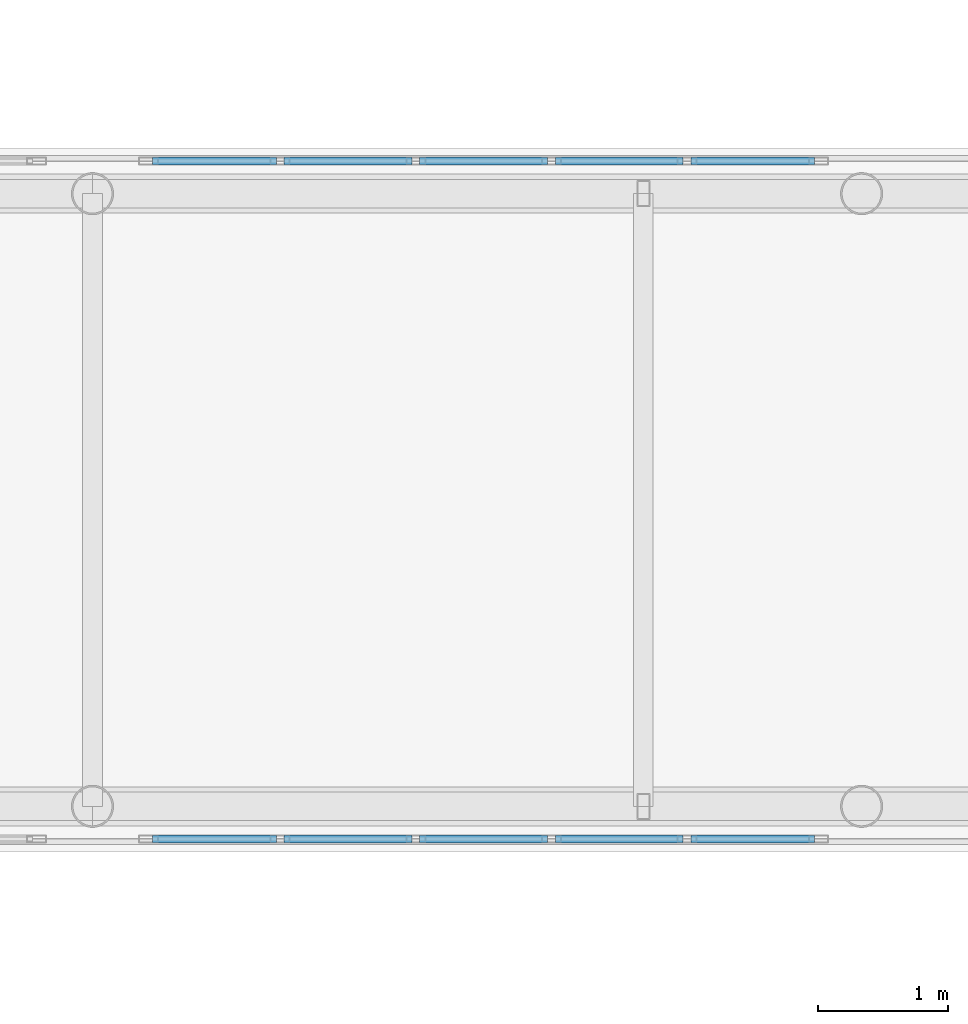
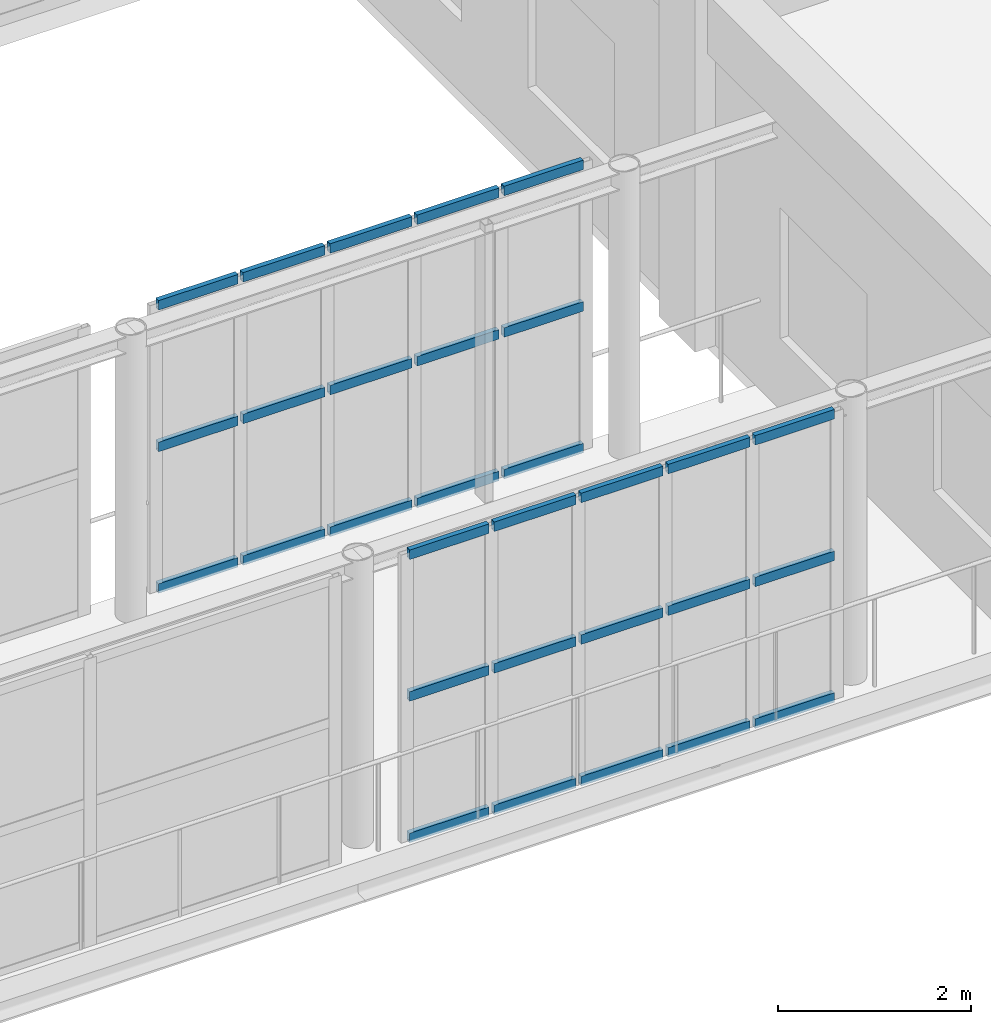
# One storey, part 125 of 167: 30 members, 2 elements without a shape of their own.
"""IFC4 building model written with IfcOpenShell, lengths in metres."""

from ifc_helpers import new_model, si_unit, direction, frame, origin, origin_2d, place, context, subcontext, project, spatial, hollow_rectangle, extrude, material, layer, layer_set, material_profile, profile_set, type_object, element, aggregate, save


model = new_model("IFC4")

# Units and contexts
model_context = context("Model", 3, precision=1e-05, world=origin(), true_north=direction((0.0, 1.0)))
body_context = subcontext(model_context, "Body", "Model", "MODEL_VIEW")
ifc_project = project(units=[si_unit("LENGTHUNIT", "METRE"), si_unit("AREAUNIT", "SQUARE_METRE"), si_unit("VOLUMEUNIT", "CUBIC_METRE"), si_unit("PLANEANGLEUNIT", "RADIAN"), si_unit("MASSUNIT", "GRAM", prefix="KILO")], contexts=[model_context])

# Site, building, storey
site_placement = place(None, origin())
site = spatial("IfcSite", under=ifc_project, at=site_placement, CompositionType="ELEMENT")
building_placement = place(site_placement, origin())
building = spatial("IfcBuilding", under=site, at=building_placement, Name="Zizhar Promenade General Hospital", CompositionType="ELEMENT")
storey_placement = place(building_placement, frame((0.0, 0.0, 9.60009765625)))
storey = spatial("IfcBuildingStorey", under=building, at=storey_placement, Name="L02", CompositionType="ELEMENT", Elevation=9.60009765625)

# Curtain wall, members
ifc_material_1 = material(Name="Anodised aluminium 6063-T6 and low-E glass", Category="aluminium")
ifc_layer = layer(ifc_material_1, 0.159912109375)
ifc_layer_set = layer_set([ifc_layer], Name="Anodised aluminium 6063-T6 and low-E glass")
curtain_wall_type = type_object("IfcCurtainWallType", Name="CW-SKY-GLZ", PredefinedType="NOTDEFINED", material=ifc_layer_set)
curtain_wall_1_placement = place(storey_placement, origin())
curtain_wall_1 = element("IfcCurtainWall", 1, at=curtain_wall_1_placement, inside=storey, type_object=curtain_wall_type, Name="Courtyard Surgical-Clinic Skybridge Level L02 South Glazing 4", PredefinedType="NOTDEFINED")
ifc_material_2 = material(Name="Anodised aluminium 6063-T6", Category="aluminium")
ifc_material_profile = material_profile(ifc_material_2, hollow_rectangle(XDim=0.06005859375, YDim=0.1201171875, WallThickness=0.00390625, at=origin_2d()))
ifc_profile_set = profile_set([ifc_material_profile], Name="Anodised aluminium 6063-T6")
member_type = type_object("IfcMemberType", Name="CWT-ALU-120x60", PredefinedType="USERDEFINED", material=ifc_profile_set)
member_1_placement = place(storey_placement, frame((122.5400390625, 77.5, 0.02978515625), z_axis=(-1.0, 0.0, 0.0), x_axis=(0.0, -1.0, 0.0)))
member_1 = element("IfcMember", 2, at=member_1_placement, type_object=member_type, Name="CW-15 transom 1.1", ObjectType="TRANSOM", PredefinedType="USERDEFINED", context=body_context, shape_type="SweptSolid", body=[
    extrude(hollow_rectangle(XDim=0.06005859375, YDim=0.1201171875, WallThickness=0.00390625, at=origin_2d()), origin(), (0.0, 0.0, 1.0), 0.949951171875),
])
member_2_placement = place(storey_placement, frame((122.5400390625, 77.5, 1.81982421875), z_axis=(-1.0, 0.0, 0.0), x_axis=(0.0, -1.0, 0.0)))
member_2 = element("IfcMember", 3, at=member_2_placement, type_object=member_type, Name="CW-15 transom 1.2", ObjectType="TRANSOM", PredefinedType="USERDEFINED", context=body_context, shape_type="SweptSolid", body=[
    extrude(hollow_rectangle(XDim=0.06005859375, YDim=0.1201171875, WallThickness=0.00390625, at=origin_2d()), origin(), (0.0, 0.0, 1.0), 0.949951171875),
])
member_3_placement = place(storey_placement, frame((122.5400390625, 77.5, 3.60986328125), z_axis=(-1.0, 0.0, 0.0), x_axis=(0.0, -1.0, 0.0)))
member_3 = element("IfcMember", 4, at=member_3_placement, type_object=member_type, Name="CW-15 transom 1.3", ObjectType="TRANSOM", PredefinedType="USERDEFINED", context=body_context, shape_type="SweptSolid", body=[
    extrude(hollow_rectangle(XDim=0.06005859375, YDim=0.1201171875, WallThickness=0.00390625, at=origin_2d()), origin(), (0.0, 0.0, 1.0), 0.949951171875),
])
member_4_placement = place(storey_placement, frame((121.530029296875, 77.5, 0.02978515625), z_axis=(-1.0, 0.0, 0.0), x_axis=(0.0, -1.0, 0.0)))
member_4 = element("IfcMember", 5, at=member_4_placement, type_object=member_type, Name="CW-15 transom 2.1", ObjectType="TRANSOM", PredefinedType="USERDEFINED", context=body_context, shape_type="SweptSolid", body=[
    extrude(hollow_rectangle(XDim=0.06005859375, YDim=0.1201171875, WallThickness=0.00390625, at=origin_2d()), origin(), (0.0, 0.0, 1.0), 0.97998046875),
])
member_5_placement = place(storey_placement, frame((121.530029296875, 77.5, 1.81982421875), z_axis=(-1.0, 0.0, 0.0), x_axis=(0.0, -1.0, 0.0)))
member_5 = element("IfcMember", 6, at=member_5_placement, type_object=member_type, Name="CW-15 transom 2.2", ObjectType="TRANSOM", PredefinedType="USERDEFINED", context=body_context, shape_type="SweptSolid", body=[
    extrude(hollow_rectangle(XDim=0.06005859375, YDim=0.1201171875, WallThickness=0.00390625, at=origin_2d()), origin(), (0.0, 0.0, 1.0), 0.97998046875),
])
member_6_placement = place(storey_placement, frame((121.530029296875, 77.5, 3.60986328125), z_axis=(-1.0, 0.0, 0.0), x_axis=(0.0, -1.0, 0.0)))
member_6 = element("IfcMember", 7, at=member_6_placement, type_object=member_type, Name="CW-15 transom 2.3", ObjectType="TRANSOM", PredefinedType="USERDEFINED", context=body_context, shape_type="SweptSolid", body=[
    extrude(hollow_rectangle(XDim=0.06005859375, YDim=0.1201171875, WallThickness=0.00390625, at=origin_2d()), origin(), (0.0, 0.0, 1.0), 0.97998046875),
])
member_7_placement = place(storey_placement, frame((120.489990234375, 77.5, 0.02978515625), z_axis=(-1.0, 0.0, 0.0), x_axis=(0.0, -1.0, 0.0)))
member_7 = element("IfcMember", 8, at=member_7_placement, type_object=member_type, Name="CW-15 transom 3.1", ObjectType="TRANSOM", PredefinedType="USERDEFINED", context=body_context, shape_type="SweptSolid", body=[
    extrude(hollow_rectangle(XDim=0.06005859375, YDim=0.1201171875, WallThickness=0.00390625, at=origin_2d()), origin(), (0.0, 0.0, 1.0), 0.97998046875),
])
member_8_placement = place(storey_placement, frame((120.489990234375, 77.5, 1.81982421875), z_axis=(-1.0, 0.0, 0.0), x_axis=(0.0, -1.0, 0.0)))
member_8 = element("IfcMember", 9, at=member_8_placement, type_object=member_type, Name="CW-15 transom 3.2", ObjectType="TRANSOM", PredefinedType="USERDEFINED", context=body_context, shape_type="SweptSolid", body=[
    extrude(hollow_rectangle(XDim=0.06005859375, YDim=0.1201171875, WallThickness=0.00390625, at=origin_2d()), origin(), (0.0, 0.0, 1.0), 0.97998046875),
])
member_9_placement = place(storey_placement, frame((120.489990234375, 77.5, 3.60986328125), z_axis=(-1.0, 0.0, 0.0), x_axis=(0.0, -1.0, 0.0)))
member_9 = element("IfcMember", 10, at=member_9_placement, type_object=member_type, Name="CW-15 transom 3.3", ObjectType="TRANSOM", PredefinedType="USERDEFINED", context=body_context, shape_type="SweptSolid", body=[
    extrude(hollow_rectangle(XDim=0.06005859375, YDim=0.1201171875, WallThickness=0.00390625, at=origin_2d()), origin(), (0.0, 0.0, 1.0), 0.97998046875),
])
member_10_placement = place(storey_placement, frame((119.449951171875, 77.5, 0.02978515625), z_axis=(-1.0, 0.0, 0.0), x_axis=(0.0, -1.0, 0.0)))
member_10 = element("IfcMember", 11, at=member_10_placement, type_object=member_type, Name="CW-15 transom 4.1", ObjectType="TRANSOM", PredefinedType="USERDEFINED", context=body_context, shape_type="SweptSolid", body=[
    extrude(hollow_rectangle(XDim=0.06005859375, YDim=0.1201171875, WallThickness=0.00390625, at=origin_2d()), origin(), (0.0, 0.0, 1.0), 0.97998046875),
])
member_11_placement = place(storey_placement, frame((119.449951171875, 77.5, 1.81982421875), z_axis=(-1.0, 0.0, 0.0), x_axis=(0.0, -1.0, 0.0)))
member_11 = element("IfcMember", 12, at=member_11_placement, type_object=member_type, Name="CW-15 transom 4.2", ObjectType="TRANSOM", PredefinedType="USERDEFINED", context=body_context, shape_type="SweptSolid", body=[
    extrude(hollow_rectangle(XDim=0.06005859375, YDim=0.1201171875, WallThickness=0.00390625, at=origin_2d()), origin(), (0.0, 0.0, 1.0), 0.97998046875),
])
member_12_placement = place(storey_placement, frame((119.449951171875, 77.5, 3.60986328125), z_axis=(-1.0, 0.0, 0.0), x_axis=(0.0, -1.0, 0.0)))
member_12 = element("IfcMember", 13, at=member_12_placement, type_object=member_type, Name="CW-15 transom 4.3", ObjectType="TRANSOM", PredefinedType="USERDEFINED", context=body_context, shape_type="SweptSolid", body=[
    extrude(hollow_rectangle(XDim=0.06005859375, YDim=0.1201171875, WallThickness=0.00390625, at=origin_2d()), origin(), (0.0, 0.0, 1.0), 0.97998046875),
])
member_13_placement = place(storey_placement, frame((118.409912109375, 77.5, 0.02978515625), z_axis=(-1.0, 0.0, 0.0), x_axis=(0.0, -1.0, 0.0)))
member_13 = element("IfcMember", 14, at=member_13_placement, type_object=member_type, Name="CW-15 transom 5.1", ObjectType="TRANSOM", PredefinedType="USERDEFINED", context=body_context, shape_type="SweptSolid", body=[
    extrude(hollow_rectangle(XDim=0.06005859375, YDim=0.1201171875, WallThickness=0.00390625, at=origin_2d()), origin(), (0.0, 0.0, 1.0), 0.949951171875),
])
member_14_placement = place(storey_placement, frame((118.409912109375, 77.5, 1.81982421875), z_axis=(-1.0, 0.0, 0.0), x_axis=(0.0, -1.0, 0.0)))
member_14 = element("IfcMember", 15, at=member_14_placement, type_object=member_type, Name="CW-15 transom 5.2", ObjectType="TRANSOM", PredefinedType="USERDEFINED", context=body_context, shape_type="SweptSolid", body=[
    extrude(hollow_rectangle(XDim=0.06005859375, YDim=0.1201171875, WallThickness=0.00390625, at=origin_2d()), origin(), (0.0, 0.0, 1.0), 0.949951171875),
])
member_15_placement = place(storey_placement, frame((118.409912109375, 77.5, 3.60986328125), z_axis=(-1.0, 0.0, 0.0), x_axis=(0.0, -1.0, 0.0)))
member_15 = element("IfcMember", 16, at=member_15_placement, type_object=member_type, Name="CW-15 transom 5.3", ObjectType="TRANSOM", PredefinedType="USERDEFINED", context=body_context, shape_type="SweptSolid", body=[
    extrude(hollow_rectangle(XDim=0.06005859375, YDim=0.1201171875, WallThickness=0.00390625, at=origin_2d()), origin(), (0.0, 0.0, 1.0), 0.949951171875),
])
aggregate(curtain_wall_1, [member_1, member_2, member_3, member_4, member_5, member_6, member_7, member_8, member_9, member_10, member_11, member_12, member_13, member_14, member_15])

curtain_wall_2_placement = place(storey_placement, origin())
curtain_wall_2 = element("IfcCurtainWall", 17, at=curtain_wall_2_placement, inside=storey, type_object=curtain_wall_type, Name="Courtyard Surgical-Clinic Skybridge Level L02 North Glazing 4", PredefinedType="NOTDEFINED")
member_16_placement = place(storey_placement, frame((117.4599609375, 82.699951171875, 0.02978515625), z_axis=(1.0, 0.0, 0.0), x_axis=(0.0, 1.0, 0.0)))
member_16 = element("IfcMember", 18, at=member_16_placement, type_object=member_type, Name="CW-15 transom 1.1", ObjectType="TRANSOM", PredefinedType="USERDEFINED", context=body_context, shape_type="SweptSolid", body=[
    extrude(hollow_rectangle(XDim=0.06005859375, YDim=0.1201171875, WallThickness=0.00390625, at=origin_2d()), origin(), (0.0, 0.0, 1.0), 0.949951171875),
])
member_17_placement = place(storey_placement, frame((117.4599609375, 82.699951171875, 1.81982421875), z_axis=(1.0, 0.0, 0.0), x_axis=(0.0, 1.0, 0.0)))
member_17 = element("IfcMember", 19, at=member_17_placement, type_object=member_type, Name="CW-15 transom 1.2", ObjectType="TRANSOM", PredefinedType="USERDEFINED", context=body_context, shape_type="SweptSolid", body=[
    extrude(hollow_rectangle(XDim=0.06005859375, YDim=0.1201171875, WallThickness=0.00390625, at=origin_2d()), origin(), (0.0, 0.0, 1.0), 0.949951171875),
])
member_18_placement = place(storey_placement, frame((117.4599609375, 82.699951171875, 3.60986328125), z_axis=(1.0, 0.0, 0.0), x_axis=(0.0, 1.0, 0.0)))
member_18 = element("IfcMember", 20, at=member_18_placement, type_object=member_type, Name="CW-15 transom 1.3", ObjectType="TRANSOM", PredefinedType="USERDEFINED", context=body_context, shape_type="SweptSolid", body=[
    extrude(hollow_rectangle(XDim=0.06005859375, YDim=0.1201171875, WallThickness=0.00390625, at=origin_2d()), origin(), (0.0, 0.0, 1.0), 0.949951171875),
])
member_19_placement = place(storey_placement, frame((118.469970703125, 82.699951171875, 0.02978515625), z_axis=(1.0, 0.0, 0.0), x_axis=(0.0, 1.0, 0.0)))
member_19 = element("IfcMember", 21, at=member_19_placement, type_object=member_type, Name="CW-15 transom 2.1", ObjectType="TRANSOM", PredefinedType="USERDEFINED", context=body_context, shape_type="SweptSolid", body=[
    extrude(hollow_rectangle(XDim=0.06005859375, YDim=0.1201171875, WallThickness=0.00390625, at=origin_2d()), origin(), (0.0, 0.0, 1.0), 0.97998046875),
])
member_20_placement = place(storey_placement, frame((118.469970703125, 82.699951171875, 1.81982421875), z_axis=(1.0, 0.0, 0.0), x_axis=(0.0, 1.0, 0.0)))
member_20 = element("IfcMember", 22, at=member_20_placement, type_object=member_type, Name="CW-15 transom 2.2", ObjectType="TRANSOM", PredefinedType="USERDEFINED", context=body_context, shape_type="SweptSolid", body=[
    extrude(hollow_rectangle(XDim=0.06005859375, YDim=0.1201171875, WallThickness=0.00390625, at=origin_2d()), origin(), (0.0, 0.0, 1.0), 0.97998046875),
])
member_21_placement = place(storey_placement, frame((118.469970703125, 82.699951171875, 3.60986328125), z_axis=(1.0, 0.0, 0.0), x_axis=(0.0, 1.0, 0.0)))
member_21 = element("IfcMember", 23, at=member_21_placement, type_object=member_type, Name="CW-15 transom 2.3", ObjectType="TRANSOM", PredefinedType="USERDEFINED", context=body_context, shape_type="SweptSolid", body=[
    extrude(hollow_rectangle(XDim=0.06005859375, YDim=0.1201171875, WallThickness=0.00390625, at=origin_2d()), origin(), (0.0, 0.0, 1.0), 0.97998046875),
])
member_22_placement = place(storey_placement, frame((119.510009765625, 82.699951171875, 0.02978515625), z_axis=(1.0, 0.0, 0.0), x_axis=(0.0, 1.0, 0.0)))
member_22 = element("IfcMember", 24, at=member_22_placement, type_object=member_type, Name="CW-15 transom 3.1", ObjectType="TRANSOM", PredefinedType="USERDEFINED", context=body_context, shape_type="SweptSolid", body=[
    extrude(hollow_rectangle(XDim=0.06005859375, YDim=0.1201171875, WallThickness=0.00390625, at=origin_2d()), origin(), (0.0, 0.0, 1.0), 0.97998046875),
])
member_23_placement = place(storey_placement, frame((119.510009765625, 82.699951171875, 1.81982421875), z_axis=(1.0, 0.0, 0.0), x_axis=(0.0, 1.0, 0.0)))
member_23 = element("IfcMember", 25, at=member_23_placement, type_object=member_type, Name="CW-15 transom 3.2", ObjectType="TRANSOM", PredefinedType="USERDEFINED", context=body_context, shape_type="SweptSolid", body=[
    extrude(hollow_rectangle(XDim=0.06005859375, YDim=0.1201171875, WallThickness=0.00390625, at=origin_2d()), origin(), (0.0, 0.0, 1.0), 0.97998046875),
])
member_24_placement = place(storey_placement, frame((119.510009765625, 82.699951171875, 3.60986328125), z_axis=(1.0, 0.0, 0.0), x_axis=(0.0, 1.0, 0.0)))
member_24 = element("IfcMember", 26, at=member_24_placement, type_object=member_type, Name="CW-15 transom 3.3", ObjectType="TRANSOM", PredefinedType="USERDEFINED", context=body_context, shape_type="SweptSolid", body=[
    extrude(hollow_rectangle(XDim=0.06005859375, YDim=0.1201171875, WallThickness=0.00390625, at=origin_2d()), origin(), (0.0, 0.0, 1.0), 0.97998046875),
])
member_25_placement = place(storey_placement, frame((120.550048828125, 82.699951171875, 0.02978515625), z_axis=(1.0, 0.0, 0.0), x_axis=(0.0, 1.0, 0.0)))
member_25 = element("IfcMember", 27, at=member_25_placement, type_object=member_type, Name="CW-15 transom 4.1", ObjectType="TRANSOM", PredefinedType="USERDEFINED", context=body_context, shape_type="SweptSolid", body=[
    extrude(hollow_rectangle(XDim=0.06005859375, YDim=0.1201171875, WallThickness=0.00390625, at=origin_2d()), origin(), (0.0, 0.0, 1.0), 0.97998046875),
])
member_26_placement = place(storey_placement, frame((120.550048828125, 82.699951171875, 1.81982421875), z_axis=(1.0, 0.0, 0.0), x_axis=(0.0, 1.0, 0.0)))
member_26 = element("IfcMember", 28, at=member_26_placement, type_object=member_type, Name="CW-15 transom 4.2", ObjectType="TRANSOM", PredefinedType="USERDEFINED", context=body_context, shape_type="SweptSolid", body=[
    extrude(hollow_rectangle(XDim=0.06005859375, YDim=0.1201171875, WallThickness=0.00390625, at=origin_2d()), origin(), (0.0, 0.0, 1.0), 0.97998046875),
])
member_27_placement = place(storey_placement, frame((120.550048828125, 82.699951171875, 3.60986328125), z_axis=(1.0, 0.0, 0.0), x_axis=(0.0, 1.0, 0.0)))
member_27 = element("IfcMember", 29, at=member_27_placement, type_object=member_type, Name="CW-15 transom 4.3", ObjectType="TRANSOM", PredefinedType="USERDEFINED", context=body_context, shape_type="SweptSolid", body=[
    extrude(hollow_rectangle(XDim=0.06005859375, YDim=0.1201171875, WallThickness=0.00390625, at=origin_2d()), origin(), (0.0, 0.0, 1.0), 0.97998046875),
])
member_28_placement = place(storey_placement, frame((121.590087890625, 82.699951171875, 0.02978515625), z_axis=(1.0, 0.0, 0.0), x_axis=(0.0, 1.0, 0.0)))
member_28 = element("IfcMember", 30, at=member_28_placement, type_object=member_type, Name="CW-15 transom 5.1", ObjectType="TRANSOM", PredefinedType="USERDEFINED", context=body_context, shape_type="SweptSolid", body=[
    extrude(hollow_rectangle(XDim=0.06005859375, YDim=0.1201171875, WallThickness=0.00390625, at=origin_2d()), origin(), (0.0, 0.0, 1.0), 0.949951171875),
])
member_29_placement = place(storey_placement, frame((121.590087890625, 82.699951171875, 1.81982421875), z_axis=(1.0, 0.0, 0.0), x_axis=(0.0, 1.0, 0.0)))
member_29 = element("IfcMember", 31, at=member_29_placement, type_object=member_type, Name="CW-15 transom 5.2", ObjectType="TRANSOM", PredefinedType="USERDEFINED", context=body_context, shape_type="SweptSolid", body=[
    extrude(hollow_rectangle(XDim=0.06005859375, YDim=0.1201171875, WallThickness=0.00390625, at=origin_2d()), origin(), (0.0, 0.0, 1.0), 0.949951171875),
])
member_30_placement = place(storey_placement, frame((121.590087890625, 82.699951171875, 3.60986328125), z_axis=(1.0, 0.0, 0.0), x_axis=(0.0, 1.0, 0.0)))
member_30 = element("IfcMember", 32, at=member_30_placement, type_object=member_type, Name="CW-15 transom 5.3", ObjectType="TRANSOM", PredefinedType="USERDEFINED", context=body_context, shape_type="SweptSolid", body=[
    extrude(hollow_rectangle(XDim=0.06005859375, YDim=0.1201171875, WallThickness=0.00390625, at=origin_2d()), origin(), (0.0, 0.0, 1.0), 0.949951171875),
])
aggregate(curtain_wall_2, [member_16, member_17, member_18, member_19, member_20, member_21, member_22, member_23, member_24, member_25, member_26, member_27, member_28, member_29, member_30])

save(model, "model.ifc")
